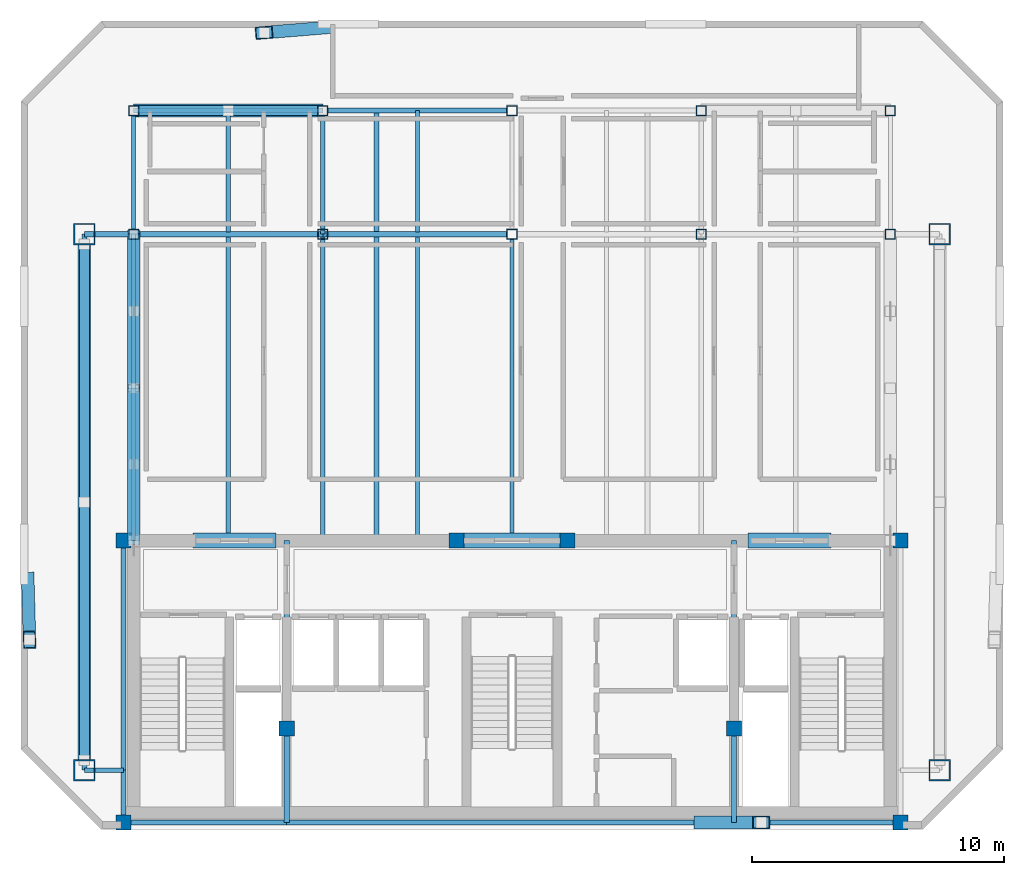
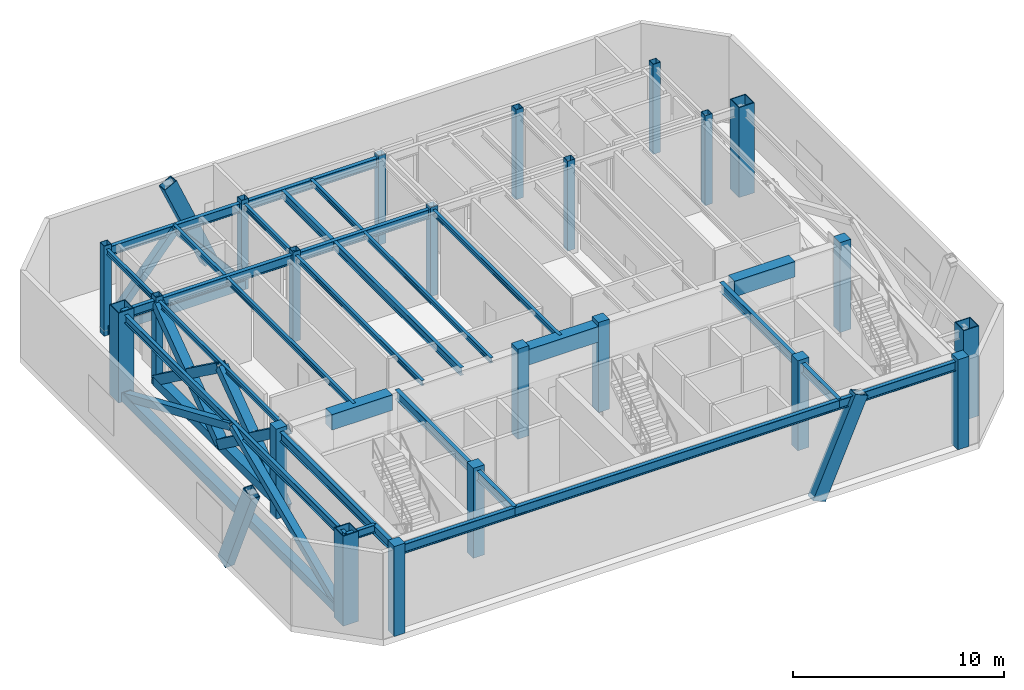
# One storey, part 1 of 7: 29 beams, 22 columns, 17 members.
"""IFC4 building model written with IfcOpenShell, lengths in metres."""

from ifc_helpers import new_model, si_unit, direction, frame, origin, origin_2d, place, context, subcontext, project, spatial, rectangle, hollow_rectangle, i_section, extrude, material, material_profile, profile_set, type_object, element, save


model = new_model("IFC4")

# Units and contexts
model_context = context("Model", 3, precision=1e-05, world=origin(), true_north=direction((0.0, 1.0)))
body_context = subcontext(model_context, "Body", "Model", "MODEL_VIEW")
ifc_project = project(units=[si_unit("LENGTHUNIT", "METRE"), si_unit("AREAUNIT", "SQUARE_METRE"), si_unit("VOLUMEUNIT", "CUBIC_METRE"), si_unit("PLANEANGLEUNIT", "RADIAN"), si_unit("MASSUNIT", "GRAM", prefix="KILO")], contexts=[model_context])

# Site, building, storey
site_placement = place(None, origin())
site = spatial("IfcSite", under=ifc_project, at=site_placement, CompositionType="ELEMENT")
building_placement = place(site_placement, origin())
building = spatial("IfcBuilding", under=site, at=building_placement, Name="Ventersveld Concourse Tower", CompositionType="ELEMENT")
storey_placement = place(building_placement, frame((0.0, 0.0, 332.300048828125)))
storey = spatial("IfcBuildingStorey", under=building, at=storey_placement, Name="L82", CompositionType="ELEMENT", Elevation=332.300048828125)

# Columns
ifc_material_1 = material(Name="Concrete C50/60", Category="concrete")
ifc_material_profile_1 = material_profile(ifc_material_1, rectangle(XDim=0.60009765625, YDim=0.60009765625, at=origin_2d()), Name="RC 600x600")
ifc_profile_set_1 = profile_set([ifc_material_profile_1], Name="Concrete C50/60")
column_type_1 = type_object("IfcColumnType", Name="COL-RC600", PredefinedType="COLUMN", material=ifc_profile_set_1)
for number, where, z_axis, x_axis, name in (
    (1, (13.35009765625, 0.280029296875, 0.0), (0.0, 0.0, 1.0), (1.0, 0.0, 0.0), "L82 Core Spine Column CC-SW"),
    (2, (44.14990234375, 0.280029296875, 0.0), (0.0, 0.0, 1.0), (1.0, 0.0, 0.0), "L82 Core Spine Column CC-SE"),
    (3, (13.35009765625, 11.449951171875, 0.0), (0.0, 0.0, 1.0), (1.0, 0.0, 0.0), "L82 Core Spine Column CC-NW"),
    (4, (44.14990234375, 11.449951171875, 0.0), (0.0, 0.0, 1.0), (1.0, 0.0, 0.0), "L82 Core Spine Column CC-NE"),
    (5, (19.820068359375, 4.0, 0.0), (0.0, 0.0, 1.0), (1.0, 0.0, 0.0), "L82 Core Spine Column CM-1"),
    (6, (37.550048828125, 4.0, 0.0), (0.0, 0.0, 1.0), (1.0, 0.0, 0.0), "L82 Core Spine Column CM-2"),
    (7, (26.550048828125, 11.449951171875, 0.0), (0.0, 0.0, 1.0), (1.0, 0.0, 0.0), "L82 Core Spine Column CM-3"),
    (8, (30.949951171875, 11.449951171875, 0.0), (0.0, 0.0, 1.0), (1.0, 0.0, 0.0), "L82 Core Spine Column CM-4"),
):
    element("IfcColumn", number, at=place(storey_placement, frame(where, z_axis=z_axis, x_axis=x_axis)), inside=storey, type_object=column_type_1, Name=name, PredefinedType="COLUMN", context=body_context, shape_type="SweptSolid", body=[
        extrude(rectangle(XDim=0.60009765625, YDim=0.60009765625, at=origin_2d()), origin(), (0.0, 0.0, 1.0), 5.199951171875),
    ])
ifc_material_2 = material(Name="Structural steel S355J2", Category="steel")
ifc_material_profile_2 = material_profile(ifc_material_2, hollow_rectangle(XDim=0.39990234375, YDim=0.39990234375, WallThickness=0.02001953125, at=origin_2d()), Name="SHS 400x400x20")
ifc_profile_set_2 = profile_set([ifc_material_profile_2], Name="Structural steel S355J2")
column_type_2 = type_object("IfcColumnType", Name="COL-SHS400", PredefinedType="COLUMN", material=ifc_profile_set_2)
for number, where, z_axis, x_axis, name in (
    (9, (13.75, 23.60009765625, 0.0), (0.0, 0.0, 1.0), (1.0, 0.0, 0.0), "L82 Interior Gravity Column X=13.75 Y=23.60"),
    (10, (21.25, 23.60009765625, 0.0), (0.0, 0.0, 1.0), (1.0, 0.0, 0.0), "L82 Interior Gravity Column X=21.25 Y=23.60"),
):
    element("IfcColumn", number, at=place(storey_placement, frame(where, z_axis=z_axis, x_axis=x_axis)), inside=storey, type_object=column_type_2, Name=name, PredefinedType="COLUMN", context=body_context, shape_type="SweptSolid", body=[
        extrude(hollow_rectangle(XDim=0.39990234375, YDim=0.39990234375, WallThickness=0.02001953125, at=origin_2d()), origin(), (0.0, 0.0, 1.0), 5.199951171875),
    ])
column_1_placement = place(storey_placement, frame((28.75, 23.60009765625, 0.0), z_axis=(0.0, 0.0, 1.0), x_axis=(1.0, 0.0, 0.0)))
element("IfcColumn", 11, at=column_1_placement, inside=storey, type_object=column_type_2, Name="L82 Interior Gravity Column X=28.75 Y=23.60", PredefinedType="COLUMN", context=body_context, shape_type="SweptSolid", body=[
    extrude(hollow_rectangle(XDim=0.39990234375, YDim=0.39990234375, WallThickness=0.02001953125, at=origin_2d()), origin(), (0.0, 0.0, 1.0), 5.14990234375),
])
for number, where, z_axis, x_axis, name in (
    (12, (36.25, 23.60009765625, 0.0), (0.0, 0.0, 1.0), (1.0, 0.0, 0.0), "L82 Interior Gravity Column X=36.25 Y=23.60"),
    (13, (43.75, 23.60009765625, 0.0), (0.0, 0.0, 1.0), (1.0, 0.0, 0.0), "L82 Interior Gravity Column X=43.75 Y=23.60"),
    (14, (13.75, 28.5, 0.0), (0.0, 0.0, 1.0), (1.0, 0.0, 0.0), "L82 Upper-North Gravity Column X=13.75 Y=28.50"),
    (15, (21.25, 28.5, 0.0), (0.0, 0.0, 1.0), (1.0, 0.0, 0.0), "L82 Upper-North Gravity Column X=21.25 Y=28.50"),
):
    element("IfcColumn", number, at=place(storey_placement, frame(where, z_axis=z_axis, x_axis=x_axis)), inside=storey, type_object=column_type_2, Name=name, PredefinedType="COLUMN", context=body_context, shape_type="SweptSolid", body=[
        extrude(hollow_rectangle(XDim=0.39990234375, YDim=0.39990234375, WallThickness=0.02001953125, at=origin_2d()), origin(), (0.0, 0.0, 1.0), 5.199951171875),
    ])
column_2_placement = place(storey_placement, frame((28.75, 28.5, 0.0), z_axis=(0.0, 0.0, 1.0), x_axis=(1.0, 0.0, 0.0)))
element("IfcColumn", 16, at=column_2_placement, inside=storey, type_object=column_type_2, Name="L82 Upper-North Gravity Column X=28.75 Y=28.50", PredefinedType="COLUMN", context=body_context, shape_type="SweptSolid", body=[
    extrude(hollow_rectangle(XDim=0.39990234375, YDim=0.39990234375, WallThickness=0.02001953125, at=origin_2d()), origin(), (0.0, 0.0, 1.0), 5.14990234375),
])
for number, where, z_axis, x_axis, name in (
    (17, (36.25, 28.5, 0.0), (0.0, 0.0, 1.0), (1.0, 0.0, 0.0), "L82 Upper-North Gravity Column X=36.25 Y=28.50"),
    (18, (43.75, 28.5, 0.0), (0.0, 0.0, 1.0), (1.0, 0.0, 0.0), "L82 Upper-North Gravity Column X=43.75 Y=28.50"),
):
    element("IfcColumn", number, at=place(storey_placement, frame(where, z_axis=z_axis, x_axis=x_axis)), inside=storey, type_object=column_type_2, Name=name, PredefinedType="COLUMN", context=body_context, shape_type="SweptSolid", body=[
        extrude(hollow_rectangle(XDim=0.39990234375, YDim=0.39990234375, WallThickness=0.02001953125, at=origin_2d()), origin(), (0.0, 0.0, 1.0), 5.199951171875),
    ])
ifc_material_3 = material(Name="Structural steel S460ML", Category="steel")
ifc_material_profile_3 = material_profile(ifc_material_3, hollow_rectangle(XDim=0.85009765625, YDim=0.85009765625, WallThickness=0.050048828125, at=origin_2d()), Name="BOX 850x850x50")
ifc_profile_set_3 = profile_set([ifc_material_profile_3], Name="Structural steel S460ML")
column_type_3 = type_object("IfcColumnType", Name="MC-850", PredefinedType="USERDEFINED", material=ifc_profile_set_3)
for number, where, z_axis, x_axis, name in (
    (19, (11.800048828125, 2.35009765625, 0.0), (0.0, 0.0, 1.0), (1.0, 0.0, 0.0), "L82 Corner Mega-Column MC-SW"),
    (20, (45.699951171875, 2.35009765625, 0.0), (0.0, 0.0, 1.0), (1.0, 0.0, 0.0), "L82 Corner Mega-Column MC-SE"),
    (21, (45.699951171875, 23.60009765625, 0.0), (0.0, 0.0, 1.0), (1.0, 0.0, 0.0), "L82 Corner Mega-Column MC-NE"),
    (22, (11.800048828125, 23.60009765625, 0.0), (0.0, 0.0, 1.0), (1.0, 0.0, 0.0), "L82 Corner Mega-Column MC-NW"),
):
    element("IfcColumn", number, at=place(storey_placement, frame(where, z_axis=z_axis, x_axis=x_axis)), inside=storey, type_object=column_type_3, Name=name, ObjectType="MEGA_COLUMN", PredefinedType="USERDEFINED", context=body_context, shape_type="SweptSolid", body=[
        extrude(hollow_rectangle(XDim=0.85009765625, YDim=0.85009765625, WallThickness=0.050048828125, at=origin_2d()), origin(), (0.0, 0.0, 1.0), 5.199951171875),
    ])

# Members
ifc_material_4 = material(Name="Structural steel S355ML", Category="steel")
ifc_material_profile_4 = material_profile(ifc_material_4, hollow_rectangle(XDim=0.39990234375, YDim=0.39990234375, WallThickness=0.02001953125, at=origin_2d()), Name="SHS 400x400x20")
ifc_profile_set_4 = profile_set([ifc_material_profile_4], Name="Structural steel S355ML")
member_type_1 = type_object("IfcMemberType", Name="BLT-BR-400", PredefinedType="BRACE", material=ifc_profile_set_4)
for number, where, z_axis, x_axis, name in (
    (23, (13.75, 28.5, 0.300048828125), (0.646102505441, 0.0, 0.763250648518), (0.0, 1.0, 0.0), "L82 Belt Truss Chevron Diagonal N1-1"),
    (24, (21.25, 28.5, 0.300048828125), (-0.646102505441, 0.0, 0.763250648518), (0.0, -1.0, 0.0), "L82 Belt Truss Chevron Diagonal N1-2"),
):
    element("IfcMember", number, at=place(storey_placement, frame(where, z_axis=z_axis, x_axis=x_axis)), inside=storey, type_object=member_type_1, Name=name, PredefinedType="BRACE", context=body_context, shape_type="SweptSolid", body=[
        extrude(hollow_rectangle(XDim=0.39990234375, YDim=0.39990234375, WallThickness=0.02001953125, at=origin_2d()), origin(), (0.0, 0.0, 1.0), 5.803955078125),
    ])
member_1_placement = place(storey_placement, frame((11.800048828125, 2.75, 0.300048828125), z_axis=(0.0, 0.91758652857, 0.39753611482), x_axis=(-1.0, 0.0, 0.0)))
element("IfcMember", 25, at=member_1_placement, inside=storey, type_object=member_type_1, Name="L82 Belt Truss Chevron Diagonal W1-1", PredefinedType="BRACE", context=body_context, shape_type="SweptSolid", body=[
    extrude(hollow_rectangle(XDim=0.39990234375, YDim=0.39990234375, WallThickness=0.02001953125, at=origin_2d()), origin(), (0.0, 0.0, 1.0), 11.1435546875),
])
member_2_placement = place(storey_placement, frame((11.800048828125, 23.199951171875, 0.300048828125), z_axis=(0.0, -0.917583066101, 0.397544106741), x_axis=(1.0, 0.0, 0.0)))
element("IfcMember", 26, at=member_2_placement, inside=storey, type_object=member_type_1, Name="L82 Belt Truss Chevron Diagonal W1-2", PredefinedType="BRACE", context=body_context, shape_type="SweptSolid", body=[
    extrude(hollow_rectangle(XDim=0.39990234375, YDim=0.39990234375, WallThickness=0.02001953125, at=origin_2d()), origin(), (0.0, 0.0, 1.0), 11.143310546875),
])

# Beams
ifc_material_profile_5 = material_profile(ifc_material_2, i_section(OverallWidth=0.1650390625, OverallDepth=0.303466796875, WebThickness=0.006103515625, FlangeThickness=0.01025390625, FilletRadius=0.0087890625, at=origin_2d()), Name="UB 305x165x40")
ifc_profile_set_5 = profile_set([ifc_material_profile_5], Name="Structural steel S355J2")
beam_type_1 = type_object("IfcBeamType", Name="BM-UB305", PredefinedType="BEAM", material=ifc_profile_set_5)
beam_1_placement = place(storey_placement, frame((13.75, 11.449951171875, 4.828369140625), z_axis=(0.0, 1.0, 0.0), x_axis=(-1.0, 0.0, 0.0)))
element("IfcBeam", 27, at=beam_1_placement, inside=storey, type_object=beam_type_1, Name="L82 N-S Composite Floor Beam South X=13.75", PredefinedType="BEAM", context=body_context, shape_type="SweptSolid", body=[
    extrude(i_section(OverallWidth=0.1650390625, OverallDepth=0.303466796875, WebThickness=0.006103515625, FlangeThickness=0.01025390625, FilletRadius=0.0087890625, at=origin_2d()), origin(), (0.0, 0.0, 1.0), 12.150146484375),
])
beam_2_placement = place(storey_placement, frame((13.75, 23.60009765625, 4.828369140625), z_axis=(0.0, 1.0, 0.0), x_axis=(-1.0, 0.0, 0.0)))
element("IfcBeam", 28, at=beam_2_placement, inside=storey, type_object=beam_type_1, Name="L82 N-S Upper-Zone Floor Beam X=13.75", PredefinedType="BEAM", context=body_context, shape_type="SweptSolid", body=[
    extrude(i_section(OverallWidth=0.1650390625, OverallDepth=0.303466796875, WebThickness=0.006103515625, FlangeThickness=0.01025390625, FilletRadius=0.0087890625, at=origin_2d()), origin(), (0.0, 0.0, 1.0), 4.89990234375),
])
beam_3_placement = place(storey_placement, frame((17.5, 11.449951171875, 4.828369140625), z_axis=(0.0, 1.0, 0.0), x_axis=(-1.0, 0.0, 0.0)))
element("IfcBeam", 29, at=beam_3_placement, inside=storey, type_object=beam_type_1, Name="L82 N-S Composite Floor Beam South X=17.50", PredefinedType="BEAM", context=body_context, shape_type="SweptSolid", body=[
    extrude(i_section(OverallWidth=0.1650390625, OverallDepth=0.303466796875, WebThickness=0.006103515625, FlangeThickness=0.01025390625, FilletRadius=0.0087890625, at=origin_2d()), origin(), (0.0, 0.0, 1.0), 12.054931640625),
])
beam_4_placement = place(storey_placement, frame((17.5, 23.695068359375, 4.828369140625), z_axis=(0.0, 1.0, 0.0), x_axis=(-1.0, 0.0, 0.0)))
element("IfcBeam", 30, at=beam_4_placement, inside=storey, type_object=beam_type_1, Name="L82 N-S Upper-Zone Floor Beam X=17.50", PredefinedType="BEAM", context=body_context, shape_type="SweptSolid", body=[
    extrude(i_section(OverallWidth=0.1650390625, OverallDepth=0.303466796875, WebThickness=0.006103515625, FlangeThickness=0.01025390625, FilletRadius=0.0087890625, at=origin_2d()), origin(), (0.0, 0.0, 1.0), 4.804931640625),
])
beam_5_placement = place(storey_placement, frame((21.25, 11.449951171875, 4.828369140625), z_axis=(0.0, 1.0, 0.0), x_axis=(-1.0, 0.0, 0.0)))
element("IfcBeam", 31, at=beam_5_placement, inside=storey, type_object=beam_type_1, Name="L82 N-S Composite Floor Beam South X=21.25", PredefinedType="BEAM", context=body_context, shape_type="SweptSolid", body=[
    extrude(i_section(OverallWidth=0.1650390625, OverallDepth=0.303466796875, WebThickness=0.006103515625, FlangeThickness=0.01025390625, FilletRadius=0.0087890625, at=origin_2d()), origin(), (0.0, 0.0, 1.0), 12.150146484375),
])
beam_6_placement = place(storey_placement, frame((21.25, 23.60009765625, 4.828369140625), z_axis=(0.0, 1.0, 0.0), x_axis=(-1.0, 0.0, 0.0)))
element("IfcBeam", 32, at=beam_6_placement, inside=storey, type_object=beam_type_1, Name="L82 N-S Upper-Zone Floor Beam X=21.25", PredefinedType="BEAM", context=body_context, shape_type="SweptSolid", body=[
    extrude(i_section(OverallWidth=0.1650390625, OverallDepth=0.303466796875, WebThickness=0.006103515625, FlangeThickness=0.01025390625, FilletRadius=0.0087890625, at=origin_2d()), origin(), (0.0, 0.0, 1.0), 4.89990234375),
])
beam_7_placement = place(storey_placement, frame((25.0, 11.449951171875, 4.828369140625), z_axis=(0.0, 1.0, 0.0), x_axis=(-1.0, 0.0, 0.0)))
element("IfcBeam", 33, at=beam_7_placement, inside=storey, type_object=beam_type_1, Name="L82 N-S Composite Floor Beam South X=25.00", PredefinedType="BEAM", context=body_context, shape_type="SweptSolid", body=[
    extrude(i_section(OverallWidth=0.1650390625, OverallDepth=0.303466796875, WebThickness=0.006103515625, FlangeThickness=0.01025390625, FilletRadius=0.0087890625, at=origin_2d()), origin(), (0.0, 0.0, 1.0), 12.054931640625),
])
beam_8_placement = place(storey_placement, frame((25.0, 23.695068359375, 4.828369140625), z_axis=(0.0, 1.0, 0.0), x_axis=(-1.0, 0.0, 0.0)))
element("IfcBeam", 34, at=beam_8_placement, inside=storey, type_object=beam_type_1, Name="L82 N-S Upper-Zone Floor Beam X=25.00", PredefinedType="BEAM", context=body_context, shape_type="SweptSolid", body=[
    extrude(i_section(OverallWidth=0.1650390625, OverallDepth=0.303466796875, WebThickness=0.006103515625, FlangeThickness=0.01025390625, FilletRadius=0.0087890625, at=origin_2d()), origin(), (0.0, 0.0, 1.0), 4.804931640625),
])
beam_9_placement = place(storey_placement, frame((28.75, 11.449951171875, 4.828369140625), z_axis=(0.0, 1.0, 0.0), x_axis=(-1.0, 0.0, 0.0)))
element("IfcBeam", 35, at=beam_9_placement, inside=storey, type_object=beam_type_1, Name="L82 N-S Composite Floor Beam South X=28.75", PredefinedType="BEAM", context=body_context, shape_type="SweptSolid", body=[
    extrude(i_section(OverallWidth=0.1650390625, OverallDepth=0.303466796875, WebThickness=0.006103515625, FlangeThickness=0.01025390625, FilletRadius=0.0087890625, at=origin_2d()), origin(), (0.0, 0.0, 1.0), 12.150146484375),
])
ifc_material_profile_6 = material_profile(ifc_material_1, rectangle(XDim=0.60009765625, YDim=0.89990234375, at=origin_2d()), Name="RC 600x900")
ifc_profile_set_6 = profile_set([ifc_material_profile_6], Name="Concrete C50/60")
beam_type_2 = type_object("IfcBeamType", Name="CB-RC600x900U", PredefinedType="LINTEL", material=ifc_profile_set_6)
beam_10_placement = place(storey_placement, frame((16.10009765625, 11.449951171875, 4.530029296875), z_axis=(1.0, 0.0, 0.0), x_axis=(0.0, 1.0, 0.0)))
element("IfcBeam", 36, at=beam_10_placement, inside=storey, type_object=beam_type_2, Name="L82 Core Coupling Lintel Beam 1", PredefinedType="LINTEL", context=body_context, shape_type="SweptSolid", body=[
    extrude(rectangle(XDim=0.60009765625, YDim=0.89990234375, at=origin_2d()), origin(), (0.0, 0.0, 1.0), 3.2998046875),
])
beam_11_placement = place(storey_placement, frame((26.5, 11.449951171875, 4.530029296875), z_axis=(1.0, 0.0, 0.0), x_axis=(0.0, 1.0, 0.0)))
element("IfcBeam", 37, at=beam_11_placement, inside=storey, type_object=beam_type_2, Name="L82 Core Coupling Lintel Beam 2", PredefinedType="LINTEL", context=body_context, shape_type="SweptSolid", body=[
    extrude(rectangle(XDim=0.60009765625, YDim=0.89990234375, at=origin_2d()), origin(), (0.0, 0.0, 1.0), 4.5),
])
beam_12_placement = place(storey_placement, frame((38.10009765625, 11.449951171875, 4.530029296875), z_axis=(1.0, 0.0, 0.0), x_axis=(0.0, 1.0, 0.0)))
element("IfcBeam", 38, at=beam_12_placement, inside=storey, type_object=beam_type_2, Name="L82 Core Coupling Lintel Beam 3", PredefinedType="LINTEL", context=body_context, shape_type="SweptSolid", body=[
    extrude(rectangle(XDim=0.60009765625, YDim=0.89990234375, at=origin_2d()), origin(), (0.0, 0.0, 1.0), 3.2998046875),
])
ifc_material_profile_7 = material_profile(ifc_material_2, i_section(OverallWidth=0.209228515625, OverallDepth=0.533203125, WebThickness=0.010009765625, FlangeThickness=0.015625, FilletRadius=0.0126953125, at=origin_2d()), Name="UB 533x210x92")
ifc_profile_set_7 = profile_set([ifc_material_profile_7], Name="Structural steel S355J2")
beam_type_3 = type_object("IfcBeamType", Name="GRD-UB533", PredefinedType="T_BEAM", material=ifc_profile_set_7)
beam_13_placement = place(storey_placement, frame((11.800048828125, 23.60009765625, 4.71337890625), z_axis=(1.0, 0.0, 0.0), x_axis=(0.0, 1.0, 0.0)))
element("IfcBeam", 39, at=beam_13_placement, inside=storey, type_object=beam_type_3, Name="L82 Primary E-W Grid Girder Y=23.60 #1", PredefinedType="T_BEAM", context=body_context, shape_type="SweptSolid", body=[
    extrude(i_section(OverallWidth=0.209228515625, OverallDepth=0.533203125, WebThickness=0.010009765625, FlangeThickness=0.015625, FilletRadius=0.0126953125, at=origin_2d()), origin(), (0.0, 0.0, 1.0), 1.949951171875),
])
for number, where, z_axis, x_axis, name in (
    (40, (13.75, 23.60009765625, 4.71337890625), (1.0, 0.0, 0.0), (0.0, 1.0, 0.0), "L82 Primary E-W Grid Girder Y=23.60 #2"),
    (41, (21.25, 23.60009765625, 4.71337890625), (1.0, 0.0, 0.0), (0.0, 1.0, 0.0), "L82 Primary E-W Grid Girder Y=23.60 #3"),
    (42, (13.75, 28.5, 4.71337890625), (1.0, 0.0, 0.0), (0.0, 1.0, 0.0), "L82 Upper-North E-W Girder Y=28.50 #1"),
    (43, (21.25, 28.5, 4.71337890625), (1.0, 0.0, 0.0), (0.0, 1.0, 0.0), "L82 Upper-North E-W Girder Y=28.50 #2"),
):
    element("IfcBeam", number, at=place(storey_placement, frame(where, z_axis=z_axis, x_axis=x_axis)), inside=storey, type_object=beam_type_3, Name=name, PredefinedType="T_BEAM", context=body_context, shape_type="SweptSolid", body=[
        extrude(i_section(OverallWidth=0.209228515625, OverallDepth=0.533203125, WebThickness=0.010009765625, FlangeThickness=0.015625, FilletRadius=0.0126953125, at=origin_2d()), origin(), (0.0, 0.0, 1.0), 7.5),
    ])
ifc_material_profile_8 = material_profile(ifc_material_2, i_section(OverallWidth=0.2119140625, OverallDepth=0.54443359375, WebThickness=0.0126953125, FlangeThickness=0.021240234375, FilletRadius=0.0126953125, at=origin_2d()), Name="UB 533x210x122")
ifc_profile_set_8 = profile_set([ifc_material_profile_8], Name="Structural steel S355J2")
beam_type_4 = type_object("IfcBeamType", Name="GRD-UB533H", PredefinedType="T_BEAM", material=ifc_profile_set_8)
beam_14_placement = place(storey_placement, frame((13.35009765625, 0.280029296875, 4.707763671875), z_axis=(0.0, 1.0, 0.0), x_axis=(-1.0, 0.0, 0.0)))
element("IfcBeam", 44, at=beam_14_placement, inside=storey, type_object=beam_type_4, Name="L82 Core West Tie Beam S", PredefinedType="T_BEAM", context=body_context, shape_type="SweptSolid", body=[
    extrude(i_section(OverallWidth=0.2119140625, OverallDepth=0.54443359375, WebThickness=0.0126953125, FlangeThickness=0.021240234375, FilletRadius=0.0126953125, at=origin_2d()), origin(), (0.0, 0.0, 1.0), 2.070068359375),
])
beam_15_placement = place(storey_placement, frame((13.35009765625, 2.35009765625, 4.707763671875), z_axis=(0.0, 1.0, 0.0), x_axis=(-1.0, 0.0, 0.0)))
element("IfcBeam", 45, at=beam_15_placement, inside=storey, type_object=beam_type_4, Name="L82 Core West Tie Beam N", PredefinedType="T_BEAM", context=body_context, shape_type="SweptSolid", body=[
    extrude(i_section(OverallWidth=0.2119140625, OverallDepth=0.54443359375, WebThickness=0.0126953125, FlangeThickness=0.021240234375, FilletRadius=0.0126953125, at=origin_2d()), origin(), (0.0, 0.0, 1.0), 9.099853515625),
])
beam_16_placement = place(storey_placement, frame((13.35009765625, 0.280029296875, 4.707763671875), z_axis=(1.0, 0.0, 0.0), x_axis=(0.0, 1.0, 0.0)))
element("IfcBeam", 46, at=beam_16_placement, inside=storey, type_object=beam_type_4, Name="L82 Core South Tie Beam W", PredefinedType="T_BEAM", context=body_context, shape_type="SweptSolid", body=[
    extrude(i_section(OverallWidth=0.2119140625, OverallDepth=0.54443359375, WebThickness=0.0126953125, FlangeThickness=0.021240234375, FilletRadius=0.0126953125, at=origin_2d()), origin(), (0.0, 0.0, 1.0), 6.469970703125),
])
beam_17_placement = place(storey_placement, frame((19.820068359375, 0.280029296875, 4.707763671875), z_axis=(1.0, 0.0, 0.0), x_axis=(0.0, 1.0, 0.0)))
element("IfcBeam", 47, at=beam_17_placement, inside=storey, type_object=beam_type_4, Name="L82 Core South Tie Beam C", PredefinedType="T_BEAM", context=body_context, shape_type="SweptSolid", body=[
    extrude(i_section(OverallWidth=0.2119140625, OverallDepth=0.54443359375, WebThickness=0.0126953125, FlangeThickness=0.021240234375, FilletRadius=0.0126953125, at=origin_2d()), origin(), (0.0, 0.0, 1.0), 17.72998046875),
])
beam_18_placement = place(storey_placement, frame((37.550048828125, 0.280029296875, 4.707763671875), z_axis=(1.0, 0.0, 0.0), x_axis=(0.0, 1.0, 0.0)))
element("IfcBeam", 48, at=beam_18_placement, inside=storey, type_object=beam_type_4, Name="L82 Core South Tie Beam E", PredefinedType="T_BEAM", context=body_context, shape_type="SweptSolid", body=[
    extrude(i_section(OverallWidth=0.2119140625, OverallDepth=0.54443359375, WebThickness=0.0126953125, FlangeThickness=0.021240234375, FilletRadius=0.0126953125, at=origin_2d()), origin(), (0.0, 0.0, 1.0), 6.599853515625),
])
beam_19_placement = place(storey_placement, frame((19.820068359375, 0.280029296875, 4.707763671875), z_axis=(0.0, 1.0, 0.0), x_axis=(-1.0, 0.0, 0.0)))
element("IfcBeam", 49, at=beam_19_placement, inside=storey, type_object=beam_type_4, Name="L82 Core Spine N-S Tie Beam W1", PredefinedType="T_BEAM", context=body_context, shape_type="SweptSolid", body=[
    extrude(i_section(OverallWidth=0.2119140625, OverallDepth=0.54443359375, WebThickness=0.0126953125, FlangeThickness=0.021240234375, FilletRadius=0.0126953125, at=origin_2d()), origin(), (0.0, 0.0, 1.0), 3.719970703125),
])
beam_20_placement = place(storey_placement, frame((19.820068359375, 4.0, 4.707763671875), z_axis=(0.0, 1.0, 0.0), x_axis=(-1.0, 0.0, 0.0)))
element("IfcBeam", 50, at=beam_20_placement, inside=storey, type_object=beam_type_4, Name="L82 Core Spine N-S Tie Beam W2", PredefinedType="T_BEAM", context=body_context, shape_type="SweptSolid", body=[
    extrude(i_section(OverallWidth=0.2119140625, OverallDepth=0.54443359375, WebThickness=0.0126953125, FlangeThickness=0.021240234375, FilletRadius=0.0126953125, at=origin_2d()), origin(), (0.0, 0.0, 1.0), 7.449951171875),
])
beam_21_placement = place(storey_placement, frame((37.550048828125, 0.280029296875, 4.707763671875), z_axis=(0.0, 1.0, 0.0), x_axis=(-1.0, 0.0, 0.0)))
element("IfcBeam", 51, at=beam_21_placement, inside=storey, type_object=beam_type_4, Name="L82 Core Spine N-S Tie Beam E1", PredefinedType="T_BEAM", context=body_context, shape_type="SweptSolid", body=[
    extrude(i_section(OverallWidth=0.2119140625, OverallDepth=0.54443359375, WebThickness=0.0126953125, FlangeThickness=0.021240234375, FilletRadius=0.0126953125, at=origin_2d()), origin(), (0.0, 0.0, 1.0), 3.719970703125),
])
beam_22_placement = place(storey_placement, frame((37.550048828125, 4.0, 4.707763671875), z_axis=(0.0, 1.0, 0.0), x_axis=(-1.0, 0.0, 0.0)))
element("IfcBeam", 52, at=beam_22_placement, inside=storey, type_object=beam_type_4, Name="L82 Core Spine N-S Tie Beam E2", PredefinedType="T_BEAM", context=body_context, shape_type="SweptSolid", body=[
    extrude(i_section(OverallWidth=0.2119140625, OverallDepth=0.54443359375, WebThickness=0.0126953125, FlangeThickness=0.021240234375, FilletRadius=0.0126953125, at=origin_2d()), origin(), (0.0, 0.0, 1.0), 7.449951171875),
])

# Members
ifc_material_profile_9 = material_profile(ifc_material_4, hollow_rectangle(XDim=0.5, YDim=0.75, WallThickness=0.034912109375, at=origin_2d()), Name="BOX 750x500x35")
ifc_profile_set_9 = profile_set([ifc_material_profile_9], Name="Structural steel S355ML")
member_type_2 = type_object("IfcMemberType", Name="MB-750x500", PredefinedType="BRACE", material=ifc_profile_set_9)
member_3_placement = place(storey_placement, frame((21.25, 31.779296875, -0.35009765625), z_axis=(-0.400091349953, -0.032889967323, 0.915884906384), x_axis=(0.081929776041, -0.996638104729, 0.0)))
element("IfcMember", 53, at=member_3_placement, inside=storey, type_object=member_type_2, Name="L82 Exterior Mega-Brace N (Module M20)", PredefinedType="BRACE", context=body_context, shape_type="SweptSolid", body=[
    extrude(hollow_rectangle(XDim=0.5, YDim=0.75, WallThickness=0.034912109375, at=origin_2d()), origin(), (0.0, 0.0, 1.0), 5.819580078125),
])
member_4_placement = place(storey_placement, frame((36.300048828125, 0.280029296875, -0.35009765625), z_axis=(0.400307925078, 0.0, 0.91638068788), x_axis=(0.0, 1.0, 0.0)))
element("IfcMember", 54, at=member_4_placement, inside=storey, type_object=member_type_2, Name="L82 Exterior Mega-Brace S (Module M20)", PredefinedType="BRACE", context=body_context, shape_type="SweptSolid", body=[
    extrude(hollow_rectangle(XDim=0.5, YDim=0.75, WallThickness=0.034912109375, at=origin_2d()), origin(), (0.0, 0.0, 1.0), 5.81640625),
])
member_5_placement = place(storey_placement, frame((9.557373046875, 9.85009765625, -0.35009765625), z_axis=(0.011374080685, -0.400317275194, 0.916306013005), x_axis=(0.999596604453, 0.028401203586, 0.0)))
element("IfcMember", 55, at=member_5_placement, inside=storey, type_object=member_type_2, Name="L82 Exterior Mega-Brace W (Module M20)", PredefinedType="BRACE", context=body_context, shape_type="SweptSolid", body=[
    extrude(hollow_rectangle(XDim=0.5, YDim=0.75, WallThickness=0.034912109375, at=origin_2d()), origin(), (0.0, 0.0, 1.0), 5.81689453125),
])
ifc_material_profile_10 = material_profile(ifc_material_4, hollow_rectangle(XDim=0.5, YDim=0.5, WallThickness=0.031982421875, at=origin_2d()), Name="BOX 500x500x32")
ifc_profile_set_10 = profile_set([ifc_material_profile_10], Name="Structural steel S355ML")
member_type_3 = type_object("IfcMemberType", Name="OUT-BR-500", PredefinedType="BRACE", material=ifc_profile_set_10)
member_6_placement = place(storey_placement, frame((13.75, 11.449951171875, 0.300048828125), z_axis=(0.0, 0.806835384059, 0.590776322334), x_axis=(-1.0, 0.0, 0.0)))
element("IfcMember", 56, at=member_6_placement, inside=storey, type_object=member_type_3, Name="L82 Outrigger Truss Continuous Diagonal W-1A", PredefinedType="BRACE", context=body_context, shape_type="SweptSolid", body=[
    extrude(hollow_rectangle(XDim=0.5, YDim=0.5, WallThickness=0.031982421875, at=origin_2d()), origin(), (0.0, 0.0, 1.0), 7.49853515625),
])
member_7_placement = place(storey_placement, frame((13.75, 11.449951171875, 4.72998046875), z_axis=(0.0, 0.806831228361, -0.590781997814), x_axis=(-1.0, 0.0, 0.0)))
element("IfcMember", 57, at=member_7_placement, inside=storey, type_object=member_type_3, Name="L82 Outrigger Truss Split X-Diagonal W-1B1", PredefinedType="BRACE", context=body_context, shape_type="SweptSolid", body=[
    extrude(hollow_rectangle(XDim=0.5, YDim=0.5, WallThickness=0.031982421875, at=origin_2d()), origin(), (0.0, 0.0, 1.0), 3.74951171875),
])
member_8_placement = place(storey_placement, frame((13.75, 14.47509765625, 2.514892578125), z_axis=(0.0, 0.806839540096, -0.590770646307), x_axis=(-1.0, 0.0, 0.0)))
element("IfcMember", 58, at=member_8_placement, inside=storey, type_object=member_type_3, Name="L82 Outrigger Truss Split X-Diagonal W-1B2", PredefinedType="BRACE", context=body_context, shape_type="SweptSolid", body=[
    extrude(hollow_rectangle(XDim=0.5, YDim=0.5, WallThickness=0.031982421875, at=origin_2d()), origin(), (0.0, 0.0, 1.0), 3.7490234375),
])
member_9_placement = place(storey_placement, frame((13.75, 17.5, 4.72998046875), z_axis=(0.0, 0.809146201332, -0.587607373056), x_axis=(-1.0, 0.0, 0.0)))
element("IfcMember", 59, at=member_9_placement, inside=storey, type_object=member_type_3, Name="L82 Outrigger Truss Continuous Diagonal W-2A", PredefinedType="BRACE", context=body_context, shape_type="SweptSolid", body=[
    extrude(hollow_rectangle(XDim=0.5, YDim=0.5, WallThickness=0.031982421875, at=origin_2d()), origin(), (0.0, 0.0, 1.0), 7.538818359375),
])
member_10_placement = place(storey_placement, frame((13.75, 17.5, 0.300048828125), z_axis=(0.0, 0.809161598645, 0.587586170088), x_axis=(-1.0, 0.0, 0.0)))
element("IfcMember", 60, at=member_10_placement, inside=storey, type_object=member_type_3, Name="L82 Outrigger Truss Split X-Diagonal W-2B1", PredefinedType="BRACE", context=body_context, shape_type="SweptSolid", body=[
    extrude(hollow_rectangle(XDim=0.5, YDim=0.5, WallThickness=0.031982421875, at=origin_2d()), origin(), (0.0, 0.0, 1.0), 3.769287109375),
])
member_11_placement = place(storey_placement, frame((13.75, 20.550048828125, 2.514892578125), z_axis=(0.0, 0.80913080405, 0.587628574814), x_axis=(-1.0, 0.0, 0.0)))
element("IfcMember", 61, at=member_11_placement, inside=storey, type_object=member_type_3, Name="L82 Outrigger Truss Split X-Diagonal W-2B2", PredefinedType="BRACE", context=body_context, shape_type="SweptSolid", body=[
    extrude(hollow_rectangle(XDim=0.5, YDim=0.5, WallThickness=0.031982421875, at=origin_2d()), origin(), (0.0, 0.0, 1.0), 3.76953125),
])
ifc_material_profile_11 = material_profile(ifc_material_4, hollow_rectangle(XDim=0.5, YDim=0.5, WallThickness=0.031982421875, at=origin_2d()), Name="BOX 500x500x32")
ifc_profile_set_11 = profile_set([ifc_material_profile_11], Name="Structural steel S355ML")
member_type_4 = type_object("IfcMemberType", Name="OUT-CH-500", PredefinedType="CHORD", material=ifc_profile_set_11)
member_12_placement = place(storey_placement, frame((13.75, 11.449951171875, 0.300048828125), z_axis=(0.0, 1.0, 0.0), x_axis=(-1.0, 0.0, 0.0)))
element("IfcMember", 62, at=member_12_placement, inside=storey, type_object=member_type_4, Name="L82 Outrigger Truss Bottom Chord W-1", PredefinedType="CHORD", context=body_context, shape_type="SweptSolid", body=[
    extrude(hollow_rectangle(XDim=0.5, YDim=0.5, WallThickness=0.031982421875, at=origin_2d()), origin(), (0.0, 0.0, 1.0), 6.050048828125),
])
member_13_placement = place(storey_placement, frame((13.75, 17.5, 0.300048828125), z_axis=(0.0, 1.0, 0.0), x_axis=(-1.0, 0.0, 0.0)))
element("IfcMember", 63, at=member_13_placement, inside=storey, type_object=member_type_4, Name="L82 Outrigger Truss Bottom Chord W-2", PredefinedType="CHORD", context=body_context, shape_type="SweptSolid", body=[
    extrude(hollow_rectangle(XDim=0.5, YDim=0.5, WallThickness=0.031982421875, at=origin_2d()), origin(), (0.0, 0.0, 1.0), 6.10009765625),
])
member_14_placement = place(storey_placement, frame((13.75, 28.5, 0.300048828125), z_axis=(1.0, 0.0, 0.0), x_axis=(0.0, 1.0, 0.0)))
element("IfcMember", 64, at=member_14_placement, inside=storey, type_object=member_type_4, Name="L82 Belt Truss Bottom Chord N1", PredefinedType="CHORD", context=body_context, shape_type="SweptSolid", body=[
    extrude(hollow_rectangle(XDim=0.5, YDim=0.5, WallThickness=0.031982421875, at=origin_2d()), origin(), (0.0, 0.0, 1.0), 7.5),
])
member_15_placement = place(storey_placement, frame((11.800048828125, 2.75, 0.300048828125), z_axis=(0.0, 1.0, 0.0), x_axis=(-1.0, 0.0, 0.0)))
element("IfcMember", 65, at=member_15_placement, inside=storey, type_object=member_type_4, Name="L82 Belt Truss Bottom Chord W1", PredefinedType="CHORD", context=body_context, shape_type="SweptSolid", body=[
    extrude(hollow_rectangle(XDim=0.5, YDim=0.5, WallThickness=0.031982421875, at=origin_2d()), origin(), (0.0, 0.0, 1.0), 20.449951171875),
])

# Beams
ifc_material_profile_12 = material_profile(ifc_material_2, i_section(OverallWidth=0.19140625, OverallDepth=0.4599609375, WebThickness=0.010009765625, FlangeThickness=0.01611328125, FilletRadius=0.01025390625, at=origin_2d()), Name="UB 457x191x82")
ifc_profile_set_12 = profile_set([ifc_material_profile_12], Name="Structural steel S355J2")
beam_type_5 = type_object("IfcBeamType", Name="SPD-UB457", PredefinedType="SPANDREL", material=ifc_profile_set_12)
beam_23_placement = place(storey_placement, frame((11.800048828125, 2.35009765625, 4.75), z_axis=(1.0, 0.0, 0.0), x_axis=(0.0, 1.0, 0.0)))
element("IfcBeam", 66, at=beam_23_placement, inside=storey, type_object=beam_type_5, Name="L82 SW Spandrel Beam", PredefinedType="SPANDREL", context=body_context, shape_type="SweptSolid", body=[
    extrude(i_section(OverallWidth=0.19140625, OverallDepth=0.4599609375, WebThickness=0.010009765625, FlangeThickness=0.01611328125, FilletRadius=0.01025390625, at=origin_2d()), origin(), (0.0, 0.0, 1.0), 1.550048828125),
])
beam_24_placement = place(storey_placement, frame((11.800048828125, 2.35009765625, 4.75), z_axis=(0.0, 1.0, 0.0), x_axis=(-1.0, 0.0, 0.0)))
element("IfcBeam", 67, at=beam_24_placement, inside=storey, type_object=beam_type_5, Name="L82 West Spandrel Beam", PredefinedType="SPANDREL", context=body_context, shape_type="SweptSolid", body=[
    extrude(i_section(OverallWidth=0.19140625, OverallDepth=0.4599609375, WebThickness=0.010009765625, FlangeThickness=0.01611328125, FilletRadius=0.01025390625, at=origin_2d()), origin(), (0.0, 0.0, 1.0), 21.25),
])
beam_25_placement = place(storey_placement, frame((23.3798828125, 11.449951171875, 4.75), z_axis=(0.0, 1.0, 0.0), x_axis=(-1.0, 0.0, 0.0)))
element("IfcBeam", 68, at=beam_25_placement, inside=storey, type_object=beam_type_5, Name="L82 Wind Portal Base Girder W", PredefinedType="SPANDREL", context=body_context, shape_type="SweptSolid", body=[
    extrude(i_section(OverallWidth=0.19140625, OverallDepth=0.4599609375, WebThickness=0.010009765625, FlangeThickness=0.01611328125, FilletRadius=0.01025390625, at=origin_2d()), origin(), (0.0, 0.0, 1.0), 17.050048828125),
])

save(model, "model.ifc")
